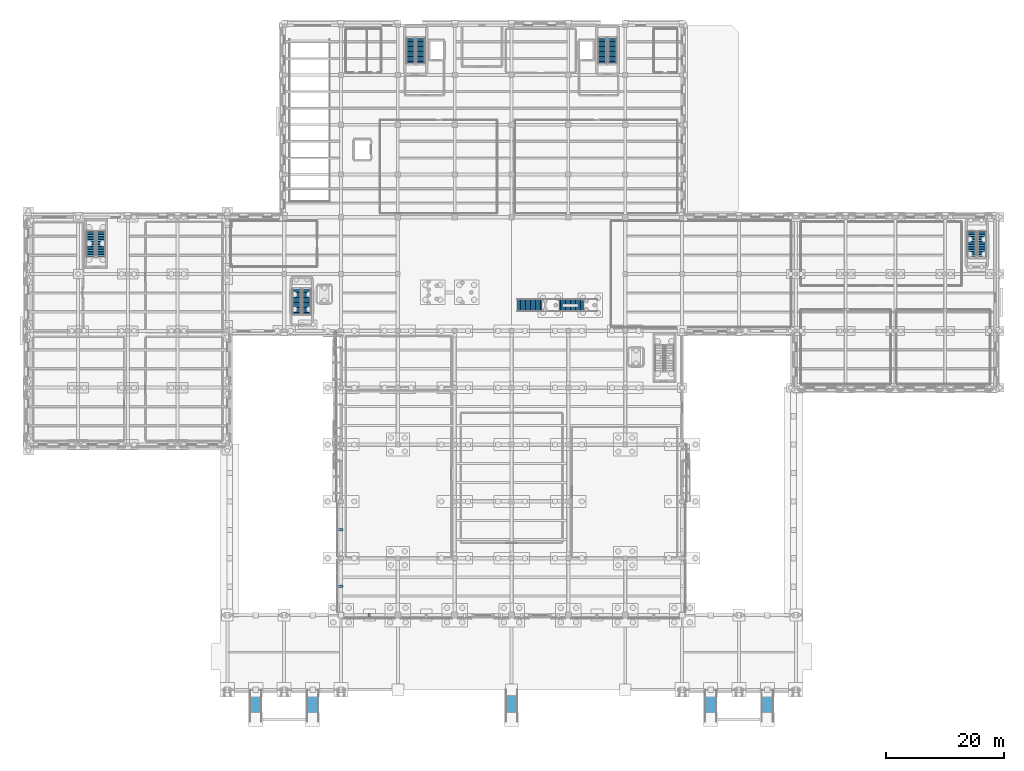
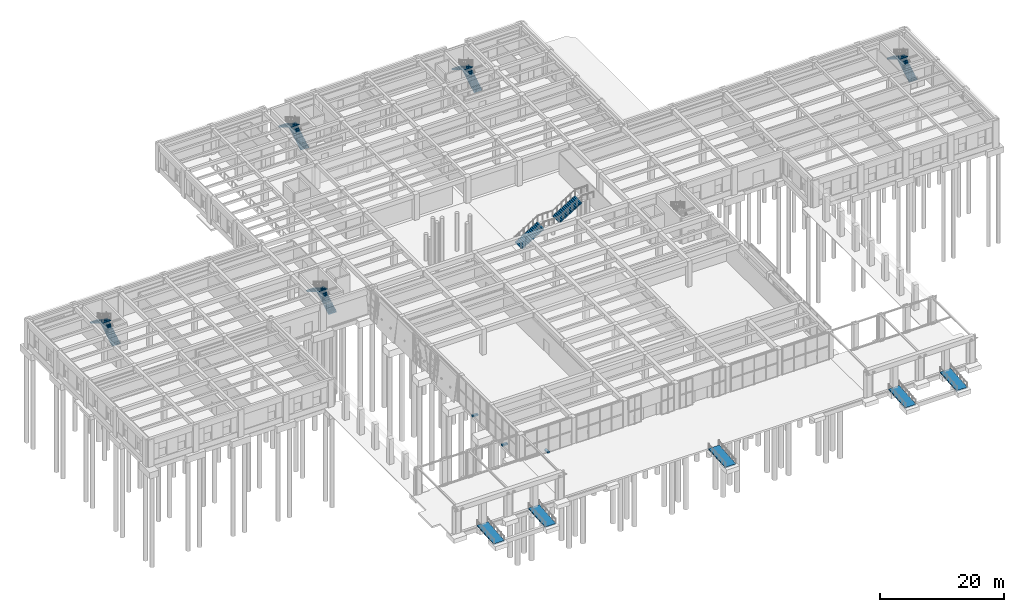
# One storey, part 38 of 51: 12 stair flights, 5 ramp flights, 3 discrete accessories, 11 elements without a shape of their own.
"""IFC4 building model written with IfcOpenShell, lengths in metres."""

import ifcopenshell
import ifcopenshell.guid

model = None  # the IFC model being written
_history = None  # IfcOwnerHistory: only IFC2X3 demands one
_inside = {}  # id of a spatial element -> (the spatial element, [elements in it])
_under = {}  # id of a project, library or spatial element -> (it, [spatial elements below it])
_declared = {}  # id of a project -> (the project, [libraries it declares])
_typed = {}  # id of a type object -> (the type object, [elements of that type])
_made_of = {}  # id of a material, layer set ... -> (it, [elements and type objects made of it])


def new_model(schema):
    """Start an empty IFC model of exactly this schema.

    Asked for "IFC4X3", IfcOpenShell would pick the latest addendum, in which some entities
    have other attributes; the version numbers below select the first issue.
    IFC2X3 requires an IfcOwnerHistory on every rooted entity: one is made here for all.
    """
    global model, _history
    if schema == "IFC4X3":
        model = ifcopenshell.file(schema_version=(4, 3, 0, 0))
    else:
        model = ifcopenshell.file(schema=schema)
    _inside.clear()
    _under.clear()
    _declared.clear()
    _typed.clear()
    _made_of.clear()
    _history = None
    if model.schema == "IFC2X3":
        org = make("IfcOrganization", Name="unknown")
        user = make(
            "IfcPersonAndOrganization",
            ThePerson=make("IfcPerson", FamilyName="unknown"),
            TheOrganization=org,
        )
        app = make(
            "IfcApplication",
            ApplicationDeveloper=org,
            Version="unknown",
            ApplicationFullName="unknown",
            ApplicationIdentifier="unknown",
        )
        _history = make(
            "IfcOwnerHistory",
            OwningUser=user,
            OwningApplication=app,
            ChangeAction="ADDED",
            CreationDate=0,
        )
    return model


def make(cls, **values):
    """One entity of the class cls with the attributes given. An attribute that is None is left unset."""
    return model.create_entity(
        cls, **{name: value for name, value in values.items() if value is not None}
    )


def rooted(cls, **values):
    """An entity with a GlobalId (a new one), such as an element, a storey or a relation."""
    return make(cls, GlobalId=ifcopenshell.guid.new(), OwnerHistory=_history, **values)


def si_unit(unit_type, name, prefix=None):
    """IfcSIUnit, for example si_unit("LENGTHUNIT", "METRE", prefix="MILLI")."""
    return make("IfcSIUnit", UnitType=unit_type, Prefix=prefix, Name=name)


def assignment(units):
    """IfcUnitAssignment: the units of a project."""
    return None if units is None else make("IfcUnitAssignment", Units=units)


def point(xyz):
    """IfcCartesianPoint."""
    return None if xyz is None else make("IfcCartesianPoint", Coordinates=xyz)


def direction(xyz):
    """IfcDirection."""
    return None if xyz is None else make("IfcDirection", DirectionRatios=xyz)


def frame(location, z_axis=None, x_axis=None):
    """IfcAxis2Placement3D, a coordinate frame: its origin and axes. An axis left out is left unset."""
    return make(
        "IfcAxis2Placement3D",
        Location=point(location),
        Axis=direction(z_axis),
        RefDirection=direction(x_axis),
    )


def frame_2d(location, x_axis=None):
    """IfcAxis2Placement2D, a coordinate frame in the plane: its origin and x axis."""
    return make(
        "IfcAxis2Placement2D", Location=point(location), RefDirection=direction(x_axis)
    )


def origin():
    """The frame at (0, 0, 0) with its axes left unset."""
    return frame((0.0, 0.0, 0.0))


def origin_2d():
    """The frame at (0, 0) in the plane with its x axis left unset."""
    return frame_2d((0.0, 0.0))


def place(relative_to, where):
    """IfcLocalPlacement: puts the frame where relative to a parent placement (None: the world)."""
    return make(
        "IfcLocalPlacement", PlacementRelTo=relative_to, RelativePlacement=where
    )


def context(
    kind, dimensions, precision=None, world=None, true_north=None, identifier=None
):
    """IfcGeometricRepresentationContext, for example the 3D "Model" context."""
    return make(
        "IfcGeometricRepresentationContext",
        ContextIdentifier=identifier,
        ContextType=kind,
        CoordinateSpaceDimension=dimensions,
        Precision=precision,
        WorldCoordinateSystem=world,
        TrueNorth=true_north,
    )


def subcontext(parent, identifier, kind, view, scale=None):
    """IfcGeometricRepresentationSubContext, for example "Body" below "Model"."""
    return make(
        "IfcGeometricRepresentationSubContext",
        ContextIdentifier=identifier,
        ContextType=kind,
        ParentContext=parent,
        TargetScale=scale,
        TargetView=view,
    )


def project(units=None, contexts=None):
    """IfcProject with its units and contexts."""
    return rooted(
        "IfcProject",
        Name="project",
        RepresentationContexts=contexts,
        UnitsInContext=assignment(units),
    )


def spatial(cls, under=None, at=None, **own):
    """A site, building, storey or space (cls), placed at a placement, below another one or the project."""
    s = rooted(cls, ObjectPlacement=at, **own)
    if under is not None:
        _under.setdefault(under.id(), (under, []))[1].append(s)
    return s


def polyline(points):
    """IfcPolyline through the points."""
    return make("IfcPolyline", Points=[point(p) for p in points])


def profile(cls, at=None, kind="AREA", **sizes):
    """A parametric profile (cls). Its sizes go by their IFC names, for example OverallWidth=200.0."""
    return make(cls, ProfileType=kind, Position=at, **sizes)


def rectangle(**sizes):
    """IfcRectangleProfileDef."""
    return profile("IfcRectangleProfileDef", **sizes)


def outline(outer, holes=None, kind="AREA"):
    """IfcArbitraryClosedProfileDef: a profile drawn as a closed curve; with holes, ...WithVoids."""
    if holes is None:
        return make("IfcArbitraryClosedProfileDef", ProfileType=kind, OuterCurve=outer)
    return make(
        "IfcArbitraryProfileDefWithVoids",
        ProfileType=kind,
        OuterCurve=outer,
        InnerCurves=holes,
    )


def extrude(swept, where, along, depth):
    """IfcExtrudedAreaSolid: the profile swept, set in the frame where, extruded along a direction by depth."""
    return make(
        "IfcExtrudedAreaSolid",
        SweptArea=swept,
        Position=where,
        ExtrudedDirection=direction(along),
        Depth=depth,
    )


def shape(context_of_items, identifier, shape_type, items):
    """IfcShapeRepresentation: the items that make up one representation, for example the "Body"."""
    return make(
        "IfcShapeRepresentation",
        ContextOfItems=context_of_items,
        RepresentationIdentifier=identifier,
        RepresentationType=shape_type,
        Items=items,
    )


def material(Name=None, Category=None):
    """IfcMaterial."""
    return make("IfcMaterial", Name=Name, Category=Category)


def layer(
    of_material, thickness, ventilated=None, Name=None, Category=None, Priority=None
):
    """IfcMaterialLayer: one layer of a wall or slab, of a material (None: an air gap)."""
    return make(
        "IfcMaterialLayer",
        Material=of_material,
        LayerThickness=thickness,
        IsVentilated=ventilated,
        Name=Name,
        Category=Category,
        Priority=Priority,
    )


def layer_set(layers, Name=None):
    """IfcMaterialLayerSet."""
    return make("IfcMaterialLayerSet", MaterialLayers=layers, LayerSetName=Name)


def made_of(thing, what):
    """Note that an element or type object is made of a material, layer set ...; save() writes the relation."""
    if what is not None:
        _made_of.setdefault(what.id(), (what, []))[1].append(thing)
    return thing


def type_object(cls, material=None, **own):
    """A type object (cls), such as IfcWallType, which elements share."""
    return made_of(rooted(cls, **own), material)


def element(
    cls,
    number,
    at=None,
    inside=None,
    cuts=None,
    type_object=None,
    material=None,
    context=None,
    identifier="Body",
    shape_type=None,
    held_by="IfcProductDefinitionShape",
    body=None,
    shapes=None,
    **own,
):
    """One element of the class cls, such as IfcWall. Its Tag is "e" and its number.

    at: its placement. inside: the storey or other place that contains it. cuts: it is an
    opening in that element (IfcRelVoidsElement). A single representation is given by context,
    identifier, shape_type and body (its items); several are given by shapes. held_by: the class
    of the entity that holds the representations. save() writes the other relations.
    """
    e = rooted(cls, Tag="e%d" % number, ObjectPlacement=at, **own)
    if body is not None:
        shapes = [shape(context, identifier, shape_type, body)]
    if shapes is not None:
        e.Representation = make(held_by, Representations=shapes)
    if inside is not None:
        _inside.setdefault(inside.id(), (inside, []))[1].append(e)
    if cuts is not None:
        rooted(
            "IfcRelVoidsElement", RelatingBuildingElement=cuts, RelatedOpeningElement=e
        )
    if type_object is not None:
        _typed.setdefault(type_object.id(), (type_object, []))[1].append(e)
    return made_of(e, material)


def aggregate(whole, parts):
    """IfcRelAggregates: a whole, such as a stair, and the parts it consists of."""
    return rooted("IfcRelAggregates", RelatingObject=whole, RelatedObjects=parts)


def save(model, path):
    """Write the relations noted so far, then the file.

    IfcRelAggregates (storeys below a building ...), IfcRelContainedInSpatialStructure (elements
    in a storey), IfcRelDefinesByType, IfcRelAssociatesMaterial and IfcRelDeclares: one each for
    every whole, place, type object, material and project.
    """
    for whole, parts in _under.values():
        aggregate(whole, parts)
    for where, things in _inside.values():
        rooted(
            "IfcRelContainedInSpatialStructure",
            RelatedElements=things,
            RelatingStructure=where,
        )
    for kind, things in _typed.values():
        rooted("IfcRelDefinesByType", RelatedObjects=things, RelatingType=kind)
    for what, things in _made_of.values():
        rooted("IfcRelAssociatesMaterial", RelatedObjects=things, RelatingMaterial=what)
    for by, libraries in _declared.values():
        rooted("IfcRelDeclares", RelatingContext=by, RelatedDefinitions=libraries)
    model.write(path)


model = new_model("IFC4")

# Units and contexts
model_context = context("Model", 3, precision=1e-05, world=origin(), true_north=direction((0.0, 1.0)))
body_context = subcontext(model_context, "Body", "Model", "MODEL_VIEW")
ifc_project = project(units=[si_unit("LENGTHUNIT", "METRE"), si_unit("AREAUNIT", "SQUARE_METRE"), si_unit("VOLUMEUNIT", "CUBIC_METRE"), si_unit("PLANEANGLEUNIT", "RADIAN"), si_unit("MASSUNIT", "GRAM", prefix="KILO")], contexts=[model_context])

# Site, building, storey
site_placement = place(None, origin())
site = spatial("IfcSite", under=ifc_project, at=site_placement, CompositionType="ELEMENT")
building_placement = place(site_placement, origin())
building = spatial("IfcBuilding", under=site, at=building_placement, Name="Bempovik Park Faculty of Sciences", CompositionType="ELEMENT")
storey_placement = place(building_placement, origin())
storey = spatial("IfcBuildingStorey", under=building, at=storey_placement, Name="L00", CompositionType="ELEMENT", Elevation=0.0)

# Stair, stair flights
ifc_material_1 = material(Name="Concrete C35/45", Category="concrete")
stair_type_1 = type_object("IfcStairType", Name="ST-24 Stair W2100 H5400", PredefinedType="STRAIGHT_RUN_STAIR", material=ifc_material_1)
stair_1_placement = place(storey_placement, origin())
stair_1 = element("IfcStair", 1, at=stair_1_placement, inside=storey, type_object=stair_type_1, Name="Atrium Monumental Straight Stair (L00-L01)", PredefinedType="STRAIGHT_RUN_STAIR")
stair_flight_type_1 = type_object("IfcStairFlightType", Name="FL-19 Flight W2100 H5400", PredefinedType="STRAIGHT", material=ifc_material_1)
stair_flight_1_placement = place(storey_placement, frame((89.75, 72.125, 0.0), z_axis=(0.0, 0.0, 1.0), x_axis=(1.0, 0.0, 0.0)))
stair_flight_1 = element("IfcStairFlight", 2, at=stair_flight_1_placement, type_object=stair_flight_type_1, Name="Atrium Monumental Stair Lower Flight", NumberOfRisers=16, NumberOfTreads=15, PredefinedType="STRAIGHT", RiserHeight=0.16875, TreadLength=0.28125, context=body_context, shape_type="SweptSolid", body=[
    extrude(outline(polyline([(0.0, 0.0), (0.0, 0.168701171875), (0.28125, 0.168701171875), (0.28125, 0.33740234375), (0.5625, 0.33740234375), (0.5625, 0.50634765625), (0.84375, 0.50634765625), (0.84375, 0.675048828125), (1.125, 0.675048828125), (1.125, 0.84375), (1.40625, 0.84375), (1.40625, 1.012451171875), (1.6875, 1.012451171875), (1.6875, 1.18115234375), (1.96875, 1.18115234375), (1.96875, 1.35009765625), (2.25, 1.35009765625), (2.25, 1.518798828125), (2.53125, 1.518798828125), (2.53125, 1.6875), (2.8125, 1.6875), (2.8125, 1.856201171875), (3.09375, 1.856201171875), (3.09375, 2.02490234375), (3.375, 2.02490234375), (3.375, 2.19384765625), (3.65625, 2.19384765625), (3.65625, 2.362548828125), (3.9375, 2.362548828125), (3.9375, 2.53125), (4.21875, 2.53125), (4.21875, 2.699951171875), (4.21875, 2.321533203125), (0.349609375, 0.0), (0.0625, -0.0625), (0.0, -0.0625), (0.0, 0.0)])), frame((0.0, 1.0625, 0.0), z_axis=(0.0, -1.0, 0.0), x_axis=(1.0, 0.0, 0.0)), (0.0, 0.0, 1.0), 2.125),
])
stair_flight_2_placement = place(storey_placement, frame((96.78125, 72.125, 2.699951171875), z_axis=(0.0, 0.0, 1.0), x_axis=(1.0, 0.0, 0.0)))
stair_flight_2 = element("IfcStairFlight", 3, at=stair_flight_2_placement, type_object=stair_flight_type_1, Name="Atrium Monumental Stair Upper Flight", NumberOfRisers=16, NumberOfTreads=15, PredefinedType="STRAIGHT", RiserHeight=0.16875, TreadLength=0.28125, context=body_context, shape_type="SweptSolid", body=[
    extrude(outline(polyline([(0.0, 0.0), (0.0, 0.168701171875), (0.28125, 0.168701171875), (0.28125, 0.33740234375), (0.5625, 0.33740234375), (0.5625, 0.50634765625), (0.84375, 0.50634765625), (0.84375, 0.675048828125), (1.125, 0.675048828125), (1.125, 0.84375), (1.40625, 0.84375), (1.40625, 1.012451171875), (1.6875, 1.012451171875), (1.6875, 1.18115234375), (1.96875, 1.18115234375), (1.96875, 1.35009765625), (2.25, 1.35009765625), (2.25, 1.518798828125), (2.53125, 1.518798828125), (2.53125, 1.6875), (2.8125, 1.6875), (2.8125, 1.856201171875), (3.09375, 1.856201171875), (3.09375, 2.02490234375), (3.375, 2.02490234375), (3.375, 2.19384765625), (3.65625, 2.19384765625), (3.65625, 2.362548828125), (3.9375, 2.362548828125), (3.9375, 2.53125), (4.21875, 2.53125), (4.21875, 2.699951171875), (4.21875, 2.321533203125), (0.349609375, 0.0), (0.0625, -0.0625), (0.0, -0.0625), (0.0, 0.0)])), frame((0.0, 1.0625, 0.0), z_axis=(0.0, -1.0, 0.0), x_axis=(1.0, 0.0, 0.0)), (0.0, 0.0, 1.0), 2.125),
])
aggregate(stair_1, [stair_flight_1, stair_flight_2])

stair_type_2 = type_object("IfcStairType", Name="ST-22 Stair W1500 H5400", PredefinedType="HALF_TURN_STAIR", material=ifc_material_1)
stair_2_placement = place(storey_placement, origin())
stair_2 = element("IfcStair", 4, at=stair_2_placement, inside=storey, type_object=stair_type_2, Name="L00 ST-1 Dog-Leg Exit Stair", PredefinedType="HALF_TURN_STAIR")
stair_flight_type_2 = type_object("IfcStairFlightType", Name="FL-26 Flight W1500 H5400", PredefinedType="STRAIGHT", material=ifc_material_1)
stair_flight_3_placement = place(storey_placement, frame((73.5, 113.0, 0.0), z_axis=(0.0, 0.0, 1.0), x_axis=(0.0, 1.0, 0.0)))
stair_flight_3 = element("IfcStairFlight", 5, at=stair_flight_3_placement, type_object=stair_flight_type_2, Name="ST-22 flight 1", NumberOfRisers=16, NumberOfTreads=15, PredefinedType="STRAIGHT", RiserHeight=0.16875, TreadLength=0.28125, context=body_context, shape_type="SweptSolid", body=[
    extrude(outline(polyline([(0.0, 0.0), (0.0, 0.168701171875), (0.28125, 0.168701171875), (0.28125, 0.33740234375), (0.5625, 0.33740234375), (0.5625, 0.50634765625), (0.84375, 0.50634765625), (0.84375, 0.675048828125), (1.125, 0.675048828125), (1.125, 0.84375), (1.40625, 0.84375), (1.40625, 1.012451171875), (1.6875, 1.012451171875), (1.6875, 1.18115234375), (1.96875, 1.18115234375), (1.96875, 1.35009765625), (2.25, 1.35009765625), (2.25, 1.518798828125), (2.53125, 1.518798828125), (2.53125, 1.6875), (2.8125, 1.6875), (2.8125, 1.856201171875), (3.09375, 1.856201171875), (3.09375, 2.02490234375), (3.375, 2.02490234375), (3.375, 2.19384765625), (3.65625, 2.19384765625), (3.65625, 2.362548828125), (3.9375, 2.362548828125), (3.9375, 2.53125), (4.21875, 2.53125), (4.21875, 2.699951171875), (4.21875, 2.3564453125), (0.291259765625, 0.0), (0.0625, -0.0625), (0.0, -0.0625), (0.0, 0.0)])), frame((0.0, 0.75, 0.0), z_axis=(0.0, -1.0, 0.0), x_axis=(1.0, 0.0, 0.0)), (0.0, 0.0, 1.0), 1.5),
])
stair_flight_4_placement = place(storey_placement, frame((71.75, 117.21875, 2.699951171875), z_axis=(0.0, 0.0, 1.0), x_axis=(0.0, -1.0, 0.0)))
stair_flight_4 = element("IfcStairFlight", 6, at=stair_flight_4_placement, type_object=stair_flight_type_2, Name="ST-22 flight 2", NumberOfRisers=16, NumberOfTreads=15, PredefinedType="STRAIGHT", RiserHeight=0.16875, TreadLength=0.28125, context=body_context, shape_type="SweptSolid", body=[
    extrude(outline(polyline([(0.0, 0.0), (0.0, 0.168701171875), (0.28125, 0.168701171875), (0.28125, 0.33740234375), (0.5625, 0.33740234375), (0.5625, 0.50634765625), (0.84375, 0.50634765625), (0.84375, 0.675048828125), (1.125, 0.675048828125), (1.125, 0.84375), (1.40625, 0.84375), (1.40625, 1.012451171875), (1.6875, 1.012451171875), (1.6875, 1.18115234375), (1.96875, 1.18115234375), (1.96875, 1.35009765625), (2.25, 1.35009765625), (2.25, 1.518798828125), (2.53125, 1.518798828125), (2.53125, 1.6875), (2.8125, 1.6875), (2.8125, 1.856201171875), (3.09375, 1.856201171875), (3.09375, 2.02490234375), (3.375, 2.02490234375), (3.375, 2.19384765625), (3.65625, 2.19384765625), (3.65625, 2.362548828125), (3.9375, 2.362548828125), (3.9375, 2.53125), (4.21875, 2.53125), (4.21875, 2.699951171875), (4.21875, 2.3564453125), (0.291259765625, 0.0), (0.0625, -0.0625), (0.0, -0.0625), (0.0, 0.0)])), frame((0.0, 0.75, 0.0), z_axis=(0.0, -1.0, 0.0), x_axis=(1.0, 0.0, 0.0)), (0.0, 0.0, 1.0), 1.5),
])
aggregate(stair_2, [stair_flight_3, stair_flight_4])

stair_3_placement = place(storey_placement, origin())
stair_3 = element("IfcStair", 7, at=stair_3_placement, inside=storey, type_object=stair_type_2, Name="L00 ST-2 Dog-Leg Exit Stair", PredefinedType="HALF_TURN_STAIR")
stair_flight_5_placement = place(storey_placement, frame((105.875, 113.0, 0.0), z_axis=(0.0, 0.0, 1.0), x_axis=(0.0, 1.0, 0.0)))
stair_flight_5 = element("IfcStairFlight", 8, at=stair_flight_5_placement, type_object=stair_flight_type_2, Name="ST-22 flight 1", NumberOfRisers=16, NumberOfTreads=15, PredefinedType="STRAIGHT", RiserHeight=0.16875, TreadLength=0.28125, context=body_context, shape_type="SweptSolid", body=[
    extrude(outline(polyline([(0.0, 0.0), (0.0, 0.168701171875), (0.28125, 0.168701171875), (0.28125, 0.33740234375), (0.5625, 0.33740234375), (0.5625, 0.50634765625), (0.84375, 0.50634765625), (0.84375, 0.675048828125), (1.125, 0.675048828125), (1.125, 0.84375), (1.40625, 0.84375), (1.40625, 1.012451171875), (1.6875, 1.012451171875), (1.6875, 1.18115234375), (1.96875, 1.18115234375), (1.96875, 1.35009765625), (2.25, 1.35009765625), (2.25, 1.518798828125), (2.53125, 1.518798828125), (2.53125, 1.6875), (2.8125, 1.6875), (2.8125, 1.856201171875), (3.09375, 1.856201171875), (3.09375, 2.02490234375), (3.375, 2.02490234375), (3.375, 2.19384765625), (3.65625, 2.19384765625), (3.65625, 2.362548828125), (3.9375, 2.362548828125), (3.9375, 2.53125), (4.21875, 2.53125), (4.21875, 2.699951171875), (4.21875, 2.3564453125), (0.291259765625, 0.0), (0.0625, -0.0625), (0.0, -0.0625), (0.0, 0.0)])), frame((0.0, 0.75, 0.0), z_axis=(0.0, -1.0, 0.0), x_axis=(1.0, 0.0, 0.0)), (0.0, 0.0, 1.0), 1.5),
])
stair_flight_6_placement = place(storey_placement, frame((104.125, 117.21875, 2.699951171875), z_axis=(0.0, 0.0, 1.0), x_axis=(0.0, -1.0, 0.0)))
stair_flight_6 = element("IfcStairFlight", 9, at=stair_flight_6_placement, type_object=stair_flight_type_2, Name="ST-22 flight 2", NumberOfRisers=16, NumberOfTreads=15, PredefinedType="STRAIGHT", RiserHeight=0.16875, TreadLength=0.28125, context=body_context, shape_type="SweptSolid", body=[
    extrude(outline(polyline([(0.0, 0.0), (0.0, 0.168701171875), (0.28125, 0.168701171875), (0.28125, 0.33740234375), (0.5625, 0.33740234375), (0.5625, 0.50634765625), (0.84375, 0.50634765625), (0.84375, 0.675048828125), (1.125, 0.675048828125), (1.125, 0.84375), (1.40625, 0.84375), (1.40625, 1.012451171875), (1.6875, 1.012451171875), (1.6875, 1.18115234375), (1.96875, 1.18115234375), (1.96875, 1.35009765625), (2.25, 1.35009765625), (2.25, 1.518798828125), (2.53125, 1.518798828125), (2.53125, 1.6875), (2.8125, 1.6875), (2.8125, 1.856201171875), (3.09375, 1.856201171875), (3.09375, 2.02490234375), (3.375, 2.02490234375), (3.375, 2.19384765625), (3.65625, 2.19384765625), (3.65625, 2.362548828125), (3.9375, 2.362548828125), (3.9375, 2.53125), (4.21875, 2.53125), (4.21875, 2.699951171875), (4.21875, 2.3564453125), (0.291259765625, 0.0), (0.0625, -0.0625), (0.0, -0.0625), (0.0, 0.0)])), frame((0.0, 0.75, 0.0), z_axis=(0.0, -1.0, 0.0), x_axis=(1.0, 0.0, 0.0)), (0.0, 0.0, 1.0), 1.5),
])
aggregate(stair_3, [stair_flight_5, stair_flight_6])

stair_4_placement = place(storey_placement, origin())
stair_4 = element("IfcStair", 10, at=stair_4_placement, inside=storey, type_object=stair_type_2, Name="L00 ST-3 Dog-Leg Exit Stair", PredefinedType="HALF_TURN_STAIR")
stair_flight_7_placement = place(storey_placement, frame((19.5, 80.375, 0.0), z_axis=(0.0, 0.0, 1.0), x_axis=(0.0, 1.0, 0.0)))
stair_flight_7 = element("IfcStairFlight", 11, at=stair_flight_7_placement, type_object=stair_flight_type_2, Name="ST-22 flight 1", NumberOfRisers=16, NumberOfTreads=15, PredefinedType="STRAIGHT", RiserHeight=0.16875, TreadLength=0.28125, context=body_context, shape_type="SweptSolid", body=[
    extrude(outline(polyline([(0.0, 0.0), (0.0, 0.168701171875), (0.28125, 0.168701171875), (0.28125, 0.33740234375), (0.5625, 0.33740234375), (0.5625, 0.50634765625), (0.84375, 0.50634765625), (0.84375, 0.675048828125), (1.125, 0.675048828125), (1.125, 0.84375), (1.40625, 0.84375), (1.40625, 1.012451171875), (1.6875, 1.012451171875), (1.6875, 1.18115234375), (1.96875, 1.18115234375), (1.96875, 1.35009765625), (2.25, 1.35009765625), (2.25, 1.518798828125), (2.53125, 1.518798828125), (2.53125, 1.6875), (2.8125, 1.6875), (2.8125, 1.856201171875), (3.09375, 1.856201171875), (3.09375, 2.02490234375), (3.375, 2.02490234375), (3.375, 2.19384765625), (3.65625, 2.19384765625), (3.65625, 2.362548828125), (3.9375, 2.362548828125), (3.9375, 2.53125), (4.21875, 2.53125), (4.21875, 2.699951171875), (4.21875, 2.3564453125), (0.291259765625, 0.0), (0.0625, -0.0625), (0.0, -0.0625), (0.0, 0.0)])), frame((0.0, 0.75, 0.0), z_axis=(0.0, -1.0, 0.0), x_axis=(1.0, 0.0, 0.0)), (0.0, 0.0, 1.0), 1.5),
])
stair_flight_8_placement = place(storey_placement, frame((17.75, 84.59375, 2.699951171875), z_axis=(0.0, 0.0, 1.0), x_axis=(0.0, -1.0, 0.0)))
stair_flight_8 = element("IfcStairFlight", 12, at=stair_flight_8_placement, type_object=stair_flight_type_2, Name="ST-22 flight 2", NumberOfRisers=16, NumberOfTreads=15, PredefinedType="STRAIGHT", RiserHeight=0.16875, TreadLength=0.28125, context=body_context, shape_type="SweptSolid", body=[
    extrude(outline(polyline([(0.0, 0.0), (0.0, 0.168701171875), (0.28125, 0.168701171875), (0.28125, 0.33740234375), (0.5625, 0.33740234375), (0.5625, 0.50634765625), (0.84375, 0.50634765625), (0.84375, 0.675048828125), (1.125, 0.675048828125), (1.125, 0.84375), (1.40625, 0.84375), (1.40625, 1.012451171875), (1.6875, 1.012451171875), (1.6875, 1.18115234375), (1.96875, 1.18115234375), (1.96875, 1.35009765625), (2.25, 1.35009765625), (2.25, 1.518798828125), (2.53125, 1.518798828125), (2.53125, 1.6875), (2.8125, 1.6875), (2.8125, 1.856201171875), (3.09375, 1.856201171875), (3.09375, 2.02490234375), (3.375, 2.02490234375), (3.375, 2.19384765625), (3.65625, 2.19384765625), (3.65625, 2.362548828125), (3.9375, 2.362548828125), (3.9375, 2.53125), (4.21875, 2.53125), (4.21875, 2.699951171875), (4.21875, 2.3564453125), (0.291259765625, 0.0), (0.0625, -0.0625), (0.0, -0.0625), (0.0, 0.0)])), frame((0.0, 0.75, 0.0), z_axis=(0.0, -1.0, 0.0), x_axis=(1.0, 0.0, 0.0)), (0.0, 0.0, 1.0), 1.5),
])
aggregate(stair_4, [stair_flight_7, stair_flight_8])

stair_5_placement = place(storey_placement, origin())
stair_5 = element("IfcStair", 13, at=stair_5_placement, inside=storey, type_object=stair_type_2, Name="L00 ST-4 Dog-Leg Exit Stair", PredefinedType="HALF_TURN_STAIR")
stair_flight_9_placement = place(storey_placement, frame((54.25, 70.625, 0.0), z_axis=(0.0, 0.0, 1.0), x_axis=(0.0, 1.0, 0.0)))
stair_flight_9 = element("IfcStairFlight", 14, at=stair_flight_9_placement, type_object=stair_flight_type_2, Name="ST-22 flight 1", NumberOfRisers=16, NumberOfTreads=15, PredefinedType="STRAIGHT", RiserHeight=0.16875, TreadLength=0.28125, context=body_context, shape_type="SweptSolid", body=[
    extrude(outline(polyline([(0.0, 0.0), (0.0, 0.168701171875), (0.28125, 0.168701171875), (0.28125, 0.33740234375), (0.5625, 0.33740234375), (0.5625, 0.50634765625), (0.84375, 0.50634765625), (0.84375, 0.675048828125), (1.125, 0.675048828125), (1.125, 0.84375), (1.40625, 0.84375), (1.40625, 1.012451171875), (1.6875, 1.012451171875), (1.6875, 1.18115234375), (1.96875, 1.18115234375), (1.96875, 1.35009765625), (2.25, 1.35009765625), (2.25, 1.518798828125), (2.53125, 1.518798828125), (2.53125, 1.6875), (2.8125, 1.6875), (2.8125, 1.856201171875), (3.09375, 1.856201171875), (3.09375, 2.02490234375), (3.375, 2.02490234375), (3.375, 2.19384765625), (3.65625, 2.19384765625), (3.65625, 2.362548828125), (3.9375, 2.362548828125), (3.9375, 2.53125), (4.21875, 2.53125), (4.21875, 2.699951171875), (4.21875, 2.3564453125), (0.291259765625, 0.0), (0.0625, -0.0625), (0.0, -0.0625), (0.0, 0.0)])), frame((0.0, 0.75, 0.0), z_axis=(0.0, -1.0, 0.0), x_axis=(1.0, 0.0, 0.0)), (0.0, 0.0, 1.0), 1.5),
])
stair_flight_10_placement = place(storey_placement, frame((52.5, 74.84375, 2.699951171875), z_axis=(0.0, 0.0, 1.0), x_axis=(0.0, -1.0, 0.0)))
stair_flight_10 = element("IfcStairFlight", 15, at=stair_flight_10_placement, type_object=stair_flight_type_2, Name="ST-22 flight 2", NumberOfRisers=16, NumberOfTreads=15, PredefinedType="STRAIGHT", RiserHeight=0.16875, TreadLength=0.28125, context=body_context, shape_type="SweptSolid", body=[
    extrude(outline(polyline([(0.0, 0.0), (0.0, 0.168701171875), (0.28125, 0.168701171875), (0.28125, 0.33740234375), (0.5625, 0.33740234375), (0.5625, 0.50634765625), (0.84375, 0.50634765625), (0.84375, 0.675048828125), (1.125, 0.675048828125), (1.125, 0.84375), (1.40625, 0.84375), (1.40625, 1.012451171875), (1.6875, 1.012451171875), (1.6875, 1.18115234375), (1.96875, 1.18115234375), (1.96875, 1.35009765625), (2.25, 1.35009765625), (2.25, 1.518798828125), (2.53125, 1.518798828125), (2.53125, 1.6875), (2.8125, 1.6875), (2.8125, 1.856201171875), (3.09375, 1.856201171875), (3.09375, 2.02490234375), (3.375, 2.02490234375), (3.375, 2.19384765625), (3.65625, 2.19384765625), (3.65625, 2.362548828125), (3.9375, 2.362548828125), (3.9375, 2.53125), (4.21875, 2.53125), (4.21875, 2.699951171875), (4.21875, 2.3564453125), (0.291259765625, 0.0), (0.0625, -0.0625), (0.0, -0.0625), (0.0, 0.0)])), frame((0.0, 0.75, 0.0), z_axis=(0.0, -1.0, 0.0), x_axis=(1.0, 0.0, 0.0)), (0.0, 0.0, 1.0), 1.5),
])
aggregate(stair_5, [stair_flight_9, stair_flight_10])

stair_6_placement = place(storey_placement, origin())
stair_6 = element("IfcStair", 16, at=stair_6_placement, inside=storey, type_object=stair_type_2, Name="L00 ST-6 Dog-Leg Exit Stair", PredefinedType="HALF_TURN_STAIR")
stair_flight_11_placement = place(storey_placement, frame((168.25, 80.375, 0.0), z_axis=(0.0, 0.0, 1.0), x_axis=(0.0, 1.0, 0.0)))
stair_flight_11 = element("IfcStairFlight", 17, at=stair_flight_11_placement, type_object=stair_flight_type_2, Name="ST-22 flight 1", NumberOfRisers=16, NumberOfTreads=15, PredefinedType="STRAIGHT", RiserHeight=0.16875, TreadLength=0.28125, context=body_context, shape_type="SweptSolid", body=[
    extrude(outline(polyline([(0.0, 0.0), (0.0, 0.168701171875), (0.28125, 0.168701171875), (0.28125, 0.33740234375), (0.5625, 0.33740234375), (0.5625, 0.50634765625), (0.84375, 0.50634765625), (0.84375, 0.675048828125), (1.125, 0.675048828125), (1.125, 0.84375), (1.40625, 0.84375), (1.40625, 1.012451171875), (1.6875, 1.012451171875), (1.6875, 1.18115234375), (1.96875, 1.18115234375), (1.96875, 1.35009765625), (2.25, 1.35009765625), (2.25, 1.518798828125), (2.53125, 1.518798828125), (2.53125, 1.6875), (2.8125, 1.6875), (2.8125, 1.856201171875), (3.09375, 1.856201171875), (3.09375, 2.02490234375), (3.375, 2.02490234375), (3.375, 2.19384765625), (3.65625, 2.19384765625), (3.65625, 2.362548828125), (3.9375, 2.362548828125), (3.9375, 2.53125), (4.21875, 2.53125), (4.21875, 2.699951171875), (4.21875, 2.3564453125), (0.291259765625, 0.0), (0.0625, -0.0625), (0.0, -0.0625), (0.0, 0.0)])), frame((0.0, 0.75, 0.0), z_axis=(0.0, -1.0, 0.0), x_axis=(1.0, 0.0, 0.0)), (0.0, 0.0, 1.0), 1.5),
])
stair_flight_12_placement = place(storey_placement, frame((166.5, 84.59375, 2.699951171875), z_axis=(0.0, 0.0, 1.0), x_axis=(0.0, -1.0, 0.0)))
stair_flight_12 = element("IfcStairFlight", 18, at=stair_flight_12_placement, type_object=stair_flight_type_2, Name="ST-22 flight 2", NumberOfRisers=16, NumberOfTreads=15, PredefinedType="STRAIGHT", RiserHeight=0.16875, TreadLength=0.28125, context=body_context, shape_type="SweptSolid", body=[
    extrude(outline(polyline([(0.0, 0.0), (0.0, 0.168701171875), (0.28125, 0.168701171875), (0.28125, 0.33740234375), (0.5625, 0.33740234375), (0.5625, 0.50634765625), (0.84375, 0.50634765625), (0.84375, 0.675048828125), (1.125, 0.675048828125), (1.125, 0.84375), (1.40625, 0.84375), (1.40625, 1.012451171875), (1.6875, 1.012451171875), (1.6875, 1.18115234375), (1.96875, 1.18115234375), (1.96875, 1.35009765625), (2.25, 1.35009765625), (2.25, 1.518798828125), (2.53125, 1.518798828125), (2.53125, 1.6875), (2.8125, 1.6875), (2.8125, 1.856201171875), (3.09375, 1.856201171875), (3.09375, 2.02490234375), (3.375, 2.02490234375), (3.375, 2.19384765625), (3.65625, 2.19384765625), (3.65625, 2.362548828125), (3.9375, 2.362548828125), (3.9375, 2.53125), (4.21875, 2.53125), (4.21875, 2.699951171875), (4.21875, 2.3564453125), (0.291259765625, 0.0), (0.0625, -0.0625), (0.0, -0.0625), (0.0, 0.0)])), frame((0.0, 0.75, 0.0), z_axis=(0.0, -1.0, 0.0), x_axis=(1.0, 0.0, 0.0)), (0.0, 0.0, 1.0), 1.5),
])
aggregate(stair_6, [stair_flight_11, stair_flight_12])

# Ramp, ramp flight
ifc_material_2 = material(Name="Rusticated pale granite", Category="masonry")
ramp_type = type_object("IfcRampType", Name="RP-02 Accessible Entrance Ramp", PredefinedType="STRAIGHT_RUN_RAMP", material=ifc_material_2)
ramp_1_placement = place(storey_placement, origin())
ramp_1 = element("IfcRamp", 19, at=ramp_1_placement, inside=storey, type_object=ramp_type, Name="Central Park Axis Accessible Entrance Ramp 5 (1:12)", PredefinedType="STRAIGHT_RUN_RAMP")
ifc_layer_1 = layer(ifc_material_2, 0.219970703125)
ifc_layer_set_1 = layer_set([ifc_layer_1], Name="Rusticated pale granite")
ramp_flight_type = type_object("IfcRampFlightType", Name="RPF-02 Accessible Ramp Flight", PredefinedType="STRAIGHT", material=ifc_layer_set_1)
ramp_flight_1_placement = place(storey_placement, frame((87.800048828125, 1.800048828125, -0.449951171875), z_axis=(0.0, -0.083038022323, 0.996546379678), x_axis=(1.0, 0.0, 0.0)))
ramp_flight_1 = element("IfcRampFlight", 20, at=ramp_flight_1_placement, type_object=ramp_flight_type, Name="Central Park Axis Accessible Entrance Ramp 5 (1:12) Flight", PredefinedType="STRAIGHT", context=body_context, shape_type="SweptSolid", body=[
    extrude(outline(polyline([(0.0, 0.0), (2.0, 0.0), (2.0, 5.418616186731482), (0.0, 5.418616186731482), (0.0, 0.0)])), origin(), (0.0, 0.0, -1.0), 0.219970703125),
])
aggregate(ramp_1, [ramp_flight_1])

ramp_2_placement = place(storey_placement, origin())
ramp_2 = element("IfcRamp", 21, at=ramp_2_placement, inside=storey, type_object=ramp_type, Name="Park Promenade Accessible Entrance Ramp 1 (1:12)", PredefinedType="STRAIGHT_RUN_RAMP")
ramp_flight_2_placement = place(storey_placement, frame((44.60009765625, 1.800048828125, -0.449951171875), z_axis=(0.0, -0.083038022323, 0.996546379678), x_axis=(1.0, 0.0, 0.0)))
ramp_flight_2 = element("IfcRampFlight", 22, at=ramp_flight_2_placement, type_object=ramp_flight_type, Name="Park Promenade Accessible Entrance Ramp 1 (1:12) Flight", PredefinedType="STRAIGHT", context=body_context, shape_type="SweptSolid", body=[
    extrude(outline(polyline([(0.0, 0.0), (2.0, 0.0), (2.0, 5.418616186731482), (0.0, 5.418616186731482), (0.0, 0.0)])), origin(), (0.0, 0.0, -1.0), 0.219970703125),
])
aggregate(ramp_2, [ramp_flight_2])

ramp_3_placement = place(storey_placement, origin())
ramp_3 = element("IfcRamp", 23, at=ramp_3_placement, inside=storey, type_object=ramp_type, Name="Park Promenade Accessible Entrance Ramp 2 (1:12)", PredefinedType="STRAIGHT_RUN_RAMP")
ramp_flight_3_placement = place(storey_placement, frame((54.199951171875, 1.800048828125, -0.449951171875), z_axis=(0.0, -0.083038022323, 0.996546379678), x_axis=(1.0, 0.0, 0.0)))
ramp_flight_3 = element("IfcRampFlight", 24, at=ramp_flight_3_placement, type_object=ramp_flight_type, Name="Park Promenade Accessible Entrance Ramp 2 (1:12) Flight", PredefinedType="STRAIGHT", context=body_context, shape_type="SweptSolid", body=[
    extrude(outline(polyline([(0.0, 0.0), (2.0, 0.0), (2.0, 5.418616186731482), (0.0, 5.418616186731482), (0.0, 0.0)])), origin(), (0.0, 0.0, -1.0), 0.219970703125),
])
aggregate(ramp_3, [ramp_flight_3])

ramp_4_placement = place(storey_placement, origin())
ramp_4 = element("IfcRamp", 25, at=ramp_4_placement, inside=storey, type_object=ramp_type, Name="Park Promenade Accessible Entrance Ramp 3 (1:12)", PredefinedType="STRAIGHT_RUN_RAMP")
ramp_flight_4_placement = place(storey_placement, frame((121.39990234375, 1.800048828125, -0.449951171875), z_axis=(0.0, -0.083038022323, 0.996546379678), x_axis=(1.0, 0.0, 0.0)))
ramp_flight_4 = element("IfcRampFlight", 26, at=ramp_flight_4_placement, type_object=ramp_flight_type, Name="Park Promenade Accessible Entrance Ramp 3 (1:12) Flight", PredefinedType="STRAIGHT", context=body_context, shape_type="SweptSolid", body=[
    extrude(outline(polyline([(0.0, 0.0), (2.0, 0.0), (2.0, 5.418616186731482), (0.0, 5.418616186731482), (0.0, 0.0)])), origin(), (0.0, 0.0, -1.0), 0.219970703125),
])
aggregate(ramp_4, [ramp_flight_4])

ramp_5_placement = place(storey_placement, origin())
ramp_5 = element("IfcRamp", 27, at=ramp_5_placement, inside=storey, type_object=ramp_type, Name="Park Promenade Accessible Entrance Ramp 4 (1:12)", PredefinedType="STRAIGHT_RUN_RAMP")
ramp_flight_5_placement = place(storey_placement, frame((131.0, 1.800048828125, -0.449951171875), z_axis=(0.0, -0.083038022323, 0.996546379678), x_axis=(1.0, 0.0, 0.0)))
ramp_flight_5 = element("IfcRampFlight", 28, at=ramp_flight_5_placement, type_object=ramp_flight_type, Name="Park Promenade Accessible Entrance Ramp 4 (1:12) Flight", PredefinedType="STRAIGHT", context=body_context, shape_type="SweptSolid", body=[
    extrude(outline(polyline([(0.0, 0.0), (2.0, 0.0), (2.0, 5.418616186731482), (0.0, 5.418616186731482), (0.0, 0.0)])), origin(), (0.0, 0.0, -1.0), 0.219970703125),
])
aggregate(ramp_5, [ramp_flight_5])

# Discrete accessories
ifc_material_3 = material(Name="Steel S355", Category="steel")
ifc_layer_2 = layer(ifc_material_3, 0.14990234375)
ifc_layer_set_2 = layer_set([ifc_layer_2], Name="Steel S355")
discrete_accessory_type = type_object("IfcDiscreteAccessoryType", Name="BK-01 Facade Support Bracket", PredefinedType="BRACKET", material=ifc_layer_set_2)
discrete_accessory_placement = place(storey_placement, frame((64.800048828125, 19.580078125, -0.1201171875), z_axis=(0.0, 0.0, 1.0), x_axis=(1.0, 0.0, 0.0)))
element("IfcDiscreteAccessory", 29, at=discrete_accessory_placement, inside=storey, type_object=discrete_accessory_type, Name="Glazed Base Tie Bracket L00-198-600", PredefinedType="BRACKET", context=body_context, shape_type="SweptSolid", body=[
    extrude(rectangle(XDim=0.39990234375, YDim=1.050048828125, at=origin_2d()), origin(), (0.0, 0.0, 1.0), 0.320068359375),
])
for number, where, z_axis, x_axis, name in (
    (30, (59.780029296875, 24.6875, -0.1201171875), (0.0, 0.0, 1.0), (1.0, 0.0, 0.0), "Glazed Base Tie Bracket L00-600-198"),
    (31, (59.780029296875, 34.199951171875, -0.1201171875), (0.0, 0.0, 1.0), (1.0, 0.0, 0.0), "Glazed Base Tie Bracket L00-600-294"),
):
    element("IfcDiscreteAccessory", number, at=place(storey_placement, frame(where, z_axis=z_axis, x_axis=x_axis)), inside=storey, type_object=discrete_accessory_type, Name=name, PredefinedType="BRACKET", context=body_context, shape_type="SweptSolid", body=[
        extrude(rectangle(XDim=1.050048828125, YDim=0.39990234375, at=origin_2d()), origin(), (0.0, 0.0, 1.0), 0.320068359375),
    ])

save(model, "model.ifc")
